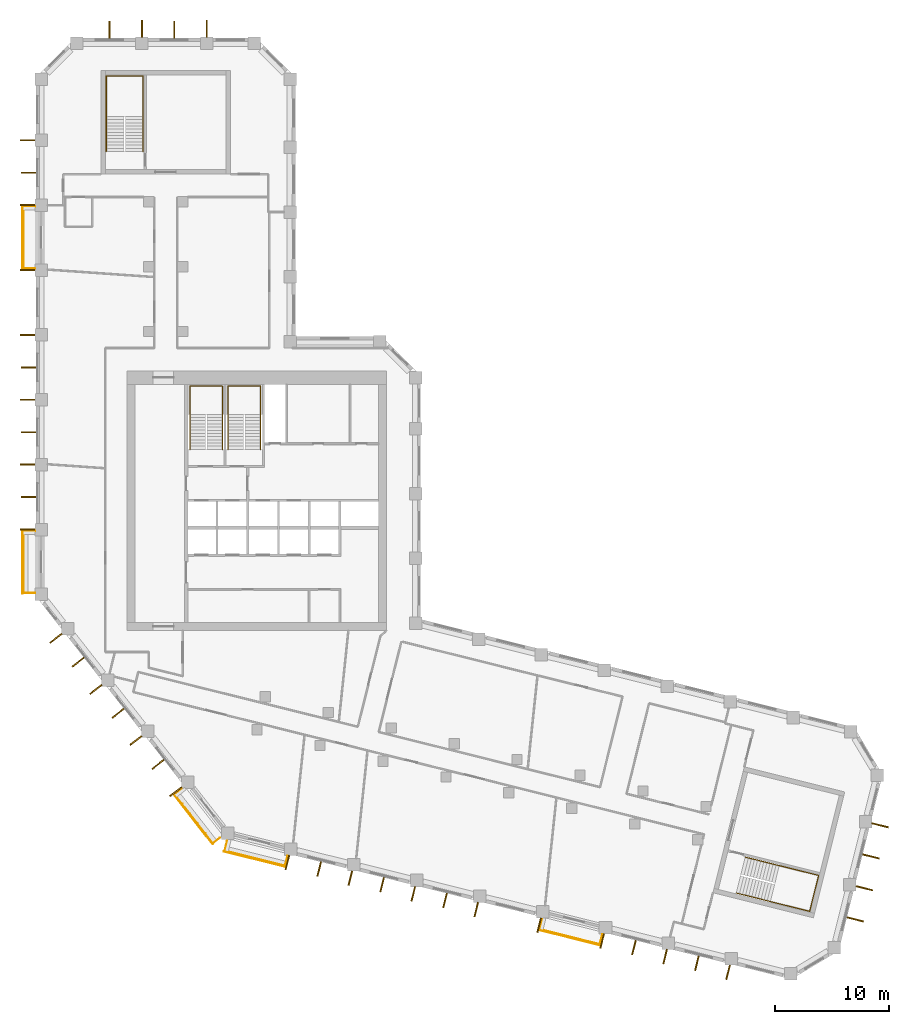
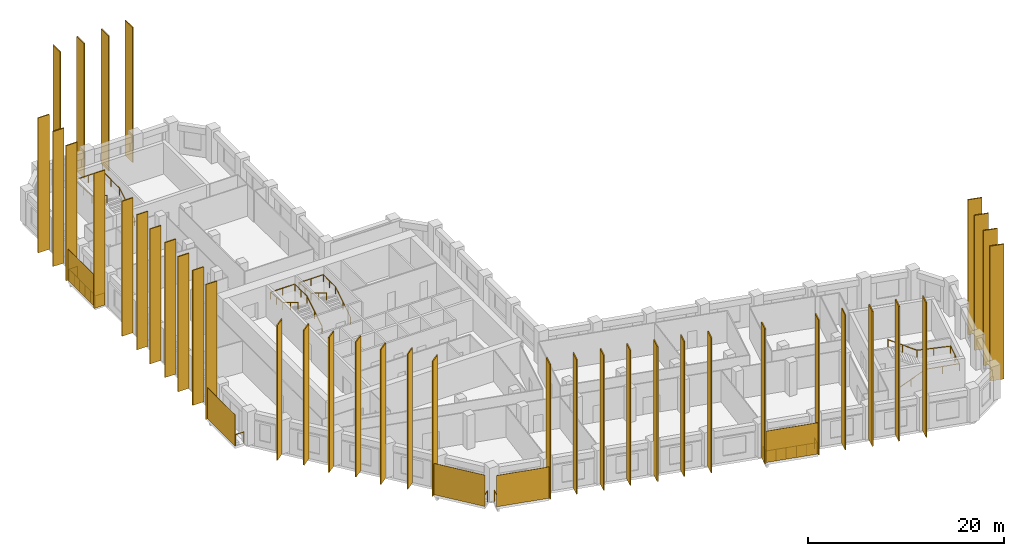
# One storey, part 10 of 10: 44 shading devices, 9 railings.
"""IFC4 building model written with IfcOpenShell, lengths in metres."""

from ifc_helpers import new_model, si_unit, direction, frame, origin, origin_2d, place, context, subcontext, project, spatial, rectangle, circle, extrude, material, layer, layer_set, type_object, element, save


model = new_model("IFC4")

# Units and contexts
model_context = context("Model", 3, precision=1e-05, world=origin(), true_north=direction((0.0, 1.0)))
body_context = subcontext(model_context, "Body", "Model", "MODEL_VIEW")
ifc_project = project(units=[si_unit("LENGTHUNIT", "METRE"), si_unit("AREAUNIT", "SQUARE_METRE"), si_unit("VOLUMEUNIT", "CUBIC_METRE"), si_unit("PLANEANGLEUNIT", "RADIAN"), si_unit("MASSUNIT", "GRAM", prefix="KILO")], contexts=[model_context])

# Site, building, storey
site_placement = place(None, origin())
site = spatial("IfcSite", under=ifc_project, at=site_placement, CompositionType="ELEMENT")
building_placement = place(site_placement, origin())
building = spatial("IfcBuilding", under=site, at=building_placement, Name="Meshkara Civic Tower", CompositionType="ELEMENT")
storey_placement = place(building_placement, frame((0.0, 0.0, 225.60009765625)))
storey = spatial("IfcBuildingStorey", under=building, at=storey_placement, Name="L51", CompositionType="ELEMENT", Elevation=225.60009765625)

# Railings
ifc_material_1 = material(Name="Steel S355", Category="steel")
railing_type_1 = type_object("IfcRailingType", Name="BALUSTRADE GUARD 1400", PredefinedType="BALUSTRADE", material=ifc_material_1)
for number, where, name in (
    (1, (-0.10009765625, 51.3349609375, 0.0), "Balcony guard"),
    (2, (-0.10009765625, 22.8349609375, 0.0), "Balcony guard"),
):
    element("IfcRailing", number, at=place(storey_placement, frame(where)), inside=storey, type_object=railing_type_1, Name=name, PredefinedType="BALUSTRADE", context=body_context, shape_type="SweptSolid", body=[
        extrude(circle(Radius=0.02392578125, at=origin_2d()), frame((0.0, 0.0, 1.3759765625), z_axis=(-1.0, 0.0, 0.0), x_axis=(0.0, -1.0, 0.0)), (0.0, 0.0, 1.0), 1.010009765625),
        extrude(circle(Radius=0.02392578125, at=origin_2d()), frame((-1.010009765625, 0.0, 1.3759765625), z_axis=(0.0, -1.0, 0.0), x_axis=(1.0, 0.0, 0.0)), (0.0, 0.0, 1.0), 5.4599609375),
        extrude(circle(Radius=0.02392578125, at=origin_2d()), frame((-1.010009765625, -5.4599609375, 1.3759765625), z_axis=(1.0, 0.0, 0.0), x_axis=(0.0, 1.0, 0.0)), (0.0, 0.0, 1.0), 1.010009765625),
        extrude(circle(Radius=0.02099609375, at=origin_2d()), origin(), (0.0, 0.0, 1.0), 1.351806640625),
        extrude(circle(Radius=0.02099609375, at=origin_2d()), frame((-1.010009765625, 0.0, 0.0)), (0.0, 0.0, 1.0), 1.351806640625),
        extrude(circle(Radius=0.02099609375, at=origin_2d()), frame((-1.010009765625, -1.092041015625, 0.0)), (0.0, 0.0, 1.0), 1.351806640625),
        extrude(circle(Radius=0.02099609375, at=origin_2d()), frame((-1.010009765625, -2.18408203125, 0.0)), (0.0, 0.0, 1.0), 1.351806640625),
        extrude(circle(Radius=0.02099609375, at=origin_2d()), frame((-1.010009765625, -3.27587890625, 0.0)), (0.0, 0.0, 1.0), 1.351806640625),
        extrude(circle(Radius=0.02099609375, at=origin_2d()), frame((-1.010009765625, -4.367919921875, 0.0)), (0.0, 0.0, 1.0), 1.351806640625),
        extrude(circle(Radius=0.02099609375, at=origin_2d()), frame((-1.010009765625, -5.4599609375, 0.0)), (0.0, 0.0, 1.0), 1.351806640625),
        extrude(circle(Radius=0.02099609375, at=origin_2d()), frame((0.0, -5.4599609375, 0.0)), (0.0, 0.0, 1.0), 1.351806640625),
    ])
railing_1_placement = place(storey_placement, frame((12.806884765625, 0.18408203125, 0.0)))
element("IfcRailing", 3, at=railing_1_placement, inside=storey, type_object=railing_type_1, Name="Balcony guard", PredefinedType="BALUSTRADE", context=body_context, shape_type="SweptSolid", body=[
    extrude(circle(Radius=0.02392578125, at=origin_2d()), frame((0.0, 0.0, 1.3759765625), z_axis=(-0.787982092171, -0.615698158531, 0.0), x_axis=(0.615698158531, -0.787982092171, 0.0)), (0.0, 0.0, 1.0), 0.787841796875),
    extrude(circle(Radius=0.02392578125, at=origin_2d()), frame((-0.620849609375, -0.485107421875, 1.3759765625), z_axis=(0.615684818606, -0.787992515281, 0.0), x_axis=(0.787992515281, 0.615684818606, 0.0)), (0.0, 0.0, 1.0), 5.460693359375),
    extrude(circle(Radius=0.02392578125, at=origin_2d()), frame((2.7412109375, -4.7880859375, 1.3759765625), z_axis=(0.787982092171, 0.615698158531, 0.0), x_axis=(-0.615698158531, 0.787982092171, 0.0)), (0.0, 0.0, 1.0), 0.787841796875),
    extrude(circle(Radius=0.02099609375, at=origin_2d()), origin(), (0.0, 0.0, 1.0), 1.351806640625),
    extrude(circle(Radius=0.02099609375, at=origin_2d()), frame((-0.620849609375, -0.485107421875, 0.0)), (0.0, 0.0, 1.0), 1.351806640625),
    extrude(circle(Radius=0.02099609375, at=origin_2d()), frame((0.051513671875, -1.345703125, 0.0)), (0.0, 0.0, 1.0), 1.351806640625),
    extrude(circle(Radius=0.02099609375, at=origin_2d()), frame((0.723876953125, -2.206298828125, 0.0)), (0.0, 0.0, 1.0), 1.351806640625),
    extrude(circle(Radius=0.02099609375, at=origin_2d()), frame((1.396484375, -3.06689453125, 0.0)), (0.0, 0.0, 1.0), 1.351806640625),
    extrude(circle(Radius=0.02099609375, at=origin_2d()), frame((2.06884765625, -3.927490234375, 0.0)), (0.0, 0.0, 1.0), 1.351806640625),
    extrude(circle(Radius=0.02099609375, at=origin_2d()), frame((2.7412109375, -4.7880859375, 0.0)), (0.0, 0.0, 1.0), 1.351806640625),
    extrude(circle(Radius=0.02099609375, at=origin_2d()), frame((3.362060546875, -4.302978515625, 0.0)), (0.0, 0.0, 1.0), 1.351806640625),
])
railing_2_placement = place(storey_placement, frame((16.805908203125, -4.4140625, 0.0)))
element("IfcRailing", 4, at=railing_2_placement, inside=storey, type_object=railing_type_1, Name="Balcony guard", PredefinedType="BALUSTRADE", context=body_context, shape_type="SweptSolid", body=[
    extrude(circle(Radius=0.02392578125, at=origin_2d()), frame((0.0, 0.0, 1.3759765625), z_axis=(-0.241571021463, -0.970383141645, 0.0), x_axis=(0.970383141645, -0.241571021463, 0.0)), (0.0, 0.0, 1.0), 0.893310546875),
    extrude(circle(Radius=0.02392578125, at=origin_2d()), frame((-0.2158203125, -0.866943359375, 1.3759765625), z_axis=(0.9703315887, -0.241778013829, 0.0), x_axis=(0.241778013829, 0.9703315887, 0.0)), (0.0, 0.0, 1.0), 5.459716796875),
    extrude(circle(Radius=0.02392578125, at=origin_2d()), frame((5.08203125, -2.18701171875, 1.3759765625), z_axis=(0.242085058395, 0.97025503065, 0.0), x_axis=(-0.97025503065, 0.242085058395, 0.0)), (0.0, 0.0, 1.0), 0.892578125),
    extrude(circle(Radius=0.02099609375, at=origin_2d()), origin(), (0.0, 0.0, 1.0), 1.351806640625),
    extrude(circle(Radius=0.02099609375, at=origin_2d()), frame((-0.2158203125, -0.866943359375, 0.0)), (0.0, 0.0, 1.0), 1.351806640625),
    extrude(circle(Radius=0.02099609375, at=origin_2d()), frame((0.84375, -1.130859375, 0.0)), (0.0, 0.0, 1.0), 1.351806640625),
    extrude(circle(Radius=0.02099609375, at=origin_2d()), frame((1.9033203125, -1.39501953125, 0.0)), (0.0, 0.0, 1.0), 1.351806640625),
    extrude(circle(Radius=0.02099609375, at=origin_2d()), frame((2.962890625, -1.658935546875, 0.0)), (0.0, 0.0, 1.0), 1.351806640625),
    extrude(circle(Radius=0.02099609375, at=origin_2d()), frame((4.0224609375, -1.923095703125, 0.0)), (0.0, 0.0, 1.0), 1.351806640625),
    extrude(circle(Radius=0.02099609375, at=origin_2d()), frame((5.08203125, -2.18701171875, 0.0)), (0.0, 0.0, 1.0), 1.351806640625),
    extrude(circle(Radius=0.02099609375, at=origin_2d()), frame((5.298095703125, -1.321044921875, 0.0)), (0.0, 0.0, 1.0), 1.351806640625),
])
railing_3_placement = place(storey_placement, frame((44.4599609375, -11.30810546875, 0.0)))
element("IfcRailing", 5, at=railing_3_placement, inside=storey, type_object=railing_type_1, Name="Balcony guard", PredefinedType="BALUSTRADE", context=body_context, shape_type="SweptSolid", body=[
    extrude(circle(Radius=0.02392578125, at=origin_2d()), frame((0.0, 0.0, 1.3759765625), z_axis=(-0.241828319243, -0.97031905269, 0.0), x_axis=(0.97031905269, -0.241828319243, 0.0)), (0.0, 0.0, 1.0), 0.8935546875),
    extrude(circle(Radius=0.02392578125, at=origin_2d()), frame((-0.216064453125, -0.866943359375, 1.3759765625), z_axis=(0.970281759871, -0.241977904902, 0.0), x_axis=(0.241977904902, 0.970281759871, 0.0)), (0.0, 0.0, 1.0), 5.45947265625),
    extrude(circle(Radius=0.02392578125, at=origin_2d()), frame((5.0810546875, -2.18798828125, 1.3759765625), z_axis=(0.241764216879, 0.970335026389, 0.0), x_axis=(-0.970335026389, 0.241764216879, 0.0)), (0.0, 0.0, 1.0), 0.893798828125),
    extrude(circle(Radius=0.02099609375, at=origin_2d()), origin(), (0.0, 0.0, 1.0), 1.351806640625),
    extrude(circle(Radius=0.02099609375, at=origin_2d()), frame((-0.216064453125, -0.866943359375, 0.0)), (0.0, 0.0, 1.0), 1.351806640625),
    extrude(circle(Radius=0.02099609375, at=origin_2d()), frame((0.84326171875, -1.131103515625, 0.0)), (0.0, 0.0, 1.0), 1.351806640625),
    extrude(circle(Radius=0.02099609375, at=origin_2d()), frame((1.90283203125, -1.395263671875, 0.0)), (0.0, 0.0, 1.0), 1.351806640625),
    extrude(circle(Radius=0.02099609375, at=origin_2d()), frame((2.962158203125, -1.65966796875, 0.0)), (0.0, 0.0, 1.0), 1.351806640625),
    extrude(circle(Radius=0.02099609375, at=origin_2d()), frame((4.021728515625, -1.923828125, 0.0)), (0.0, 0.0, 1.0), 1.351806640625),
    extrude(circle(Radius=0.02099609375, at=origin_2d()), frame((5.0810546875, -2.18798828125, 0.0)), (0.0, 0.0, 1.0), 1.351806640625),
    extrude(circle(Radius=0.02099609375, at=origin_2d()), frame((5.297119140625, -1.32080078125, 0.0)), (0.0, 0.0, 1.0), 1.351806640625),
])

# Shading devices
ifc_material_2 = material(Name="Bronze anodised aluminium", Category="aluminium")
ifc_layer_1 = layer(ifc_material_2, 0.1201171875)
ifc_layer_set_1 = layer_set([ifc_layer_1], Name="BRONZE FIN 1300")
shading_device_type_1 = type_object("IfcShadingDeviceType", Name="BRONZE FIN 1300", PredefinedType="USERDEFINED", material=ifc_layer_set_1)
for number, where, z_axis, x_axis, name in (
    (6, (-0.75, 57.155029296875, 0.0), (0.0, 0.0, 1.0), (0.0, -1.0, 0.0), "Fin"),
    (7, (-0.64990234375, 54.304931640625, 0.0), (0.0, 0.0, 1.0), (0.0, -1.0, 0.0), "Fin"),
    (8, (-0.75, 51.455078125, 0.0), (0.0, 0.0, 1.0), (0.0, -1.0, 0.0), "Fin"),
    (9, (-0.75, 45.7548828125, 0.0), (0.0, 0.0, 1.0), (0.0, -1.0, 0.0), "Fin"),
    (10, (-0.75, 40.054931640625, 0.0), (0.0, 0.0, 1.0), (0.0, -1.0, 0.0), "Fin"),
    (11, (-0.64990234375, 37.205078125, 0.0), (0.0, 0.0, 1.0), (0.0, -1.0, 0.0), "Fin"),
    (12, (-0.75, 34.35498046875, 0.0), (0.0, 0.0, 1.0), (0.0, -1.0, 0.0), "Fin"),
    (13, (-0.64990234375, 31.5048828125, 0.0), (0.0, 0.0, 1.0), (0.0, -1.0, 0.0), "Fin"),
    (14, (-0.75, 28.655029296875, 0.0), (0.0, 0.0, 1.0), (0.0, -1.0, 0.0), "Fin"),
    (15, (-0.64990234375, 25.804931640625, 0.0), (0.0, 0.0, 1.0), (0.0, -1.0, 0.0), "Fin"),
    (16, (-0.75, 22.955078125, 0.0), (0.0, 0.0, 1.0), (0.0, -1.0, 0.0), "Fin"),
    (17, (1.751953125, 13.39892578125, 0.0), (0.0, 0.0, 1.0), (0.615661475326, -0.788010753607, 0.0), "Fin"),
    (18, (3.701904296875, 11.305908203125, 0.0), (0.0, 0.0, 1.0), (0.615661475326, -0.788010753607, 0.0), "Fin"),
    (19, (5.260986328125, 8.906982421875, 0.0), (0.0, 0.0, 1.0), (0.615661475326, -0.788010753607, 0.0), "Fin"),
    (20, (7.2109375, 6.81396484375, 0.0), (0.0, 0.0, 1.0), (0.615661475326, -0.788010753607, 0.0), "Fin"),
    (21, (8.77099609375, 4.4150390625, 0.0), (0.0, 0.0, 1.0), (0.615661475326, -0.788010753607, 0.0), "Fin"),
    (22, (10.720947265625, 2.322021484375, 0.0), (0.0, 0.0, 1.0), (0.615661475326, -0.788010753607, 0.0), "Fin"),
    (23, (12.280029296875, -0.075927734375, 0.0), (0.0, 0.0, 1.0), (0.615661475326, -0.788010753607, 0.0), "Fin"),
    (24, (22.087890625, -6.298095703125, 0.0), (0.0, 0.0, 1.0), (0.970299948462, -0.241904960708, 0.0), "Fin"),
    (25, (24.881103515625, -6.873046875, 0.0), (0.0, 0.0, 1.0), (0.970299948462, -0.241904960708, 0.0), "Fin"),
    (26, (27.617919921875, -7.677001953125, 0.0), (0.0, 0.0, 1.0), (0.970299948462, -0.241904960708, 0.0), "Fin"),
    (27, (30.412109375, -8.251953125, 0.0), (0.0, 0.0, 1.0), (0.970299948462, -0.241904960708, 0.0), "Fin"),
    (28, (33.14892578125, -9.055908203125, 0.0), (0.0, 0.0, 1.0), (0.970299948462, -0.241904960708, 0.0), "Fin"),
    (29, (35.94189453125, -9.631103515625, 0.0), (0.0, 0.0, 1.0), (0.970299948462, -0.241904960708, 0.0), "Fin"),
    (30, (38.679931640625, -10.43408203125, 0.0), (0.0, 0.0, 1.0), (0.970299948462, -0.241904960708, 0.0), "Fin"),
    (31, (44.2109375, -11.81298828125, 0.0), (0.0, 0.0, 1.0), (0.970299948462, -0.241904960708, 0.0), "Fin"),
    (32, (49.740966796875, -13.19189453125, 0.0), (0.0, 0.0, 1.0), (0.970299948462, -0.241904960708, 0.0), "Fin"),
    (33, (52.533935546875, -13.76806640625, 0.0), (0.0, 0.0, 1.0), (0.970299948462, -0.241904960708, 0.0), "Fin"),
    (34, (55.27197265625, -14.571044921875, 0.0), (0.0, 0.0, 1.0), (0.970299948462, -0.241904960708, 0.0), "Fin"),
    (35, (58.06494140625, -15.14697265625, 0.0), (0.0, 0.0, 1.0), (0.970299948462, -0.241904960708, 0.0), "Fin"),
    (36, (60.802978515625, -15.949951171875, 0.0), (0.0, 0.0, 1.0), (0.970299948462, -0.241904960708, 0.0), "Fin"),
):
    element("IfcShadingDevice", number, at=place(storey_placement, frame(where, z_axis=z_axis, x_axis=x_axis)), inside=storey, type_object=shading_device_type_1, Name=name, ObjectType="FIN", PredefinedType="USERDEFINED", context=body_context, shape_type="SweptSolid", body=[
        extrude(rectangle(XDim=0.1201171875, YDim=1.300048828125, at=origin_2d()), origin(), (0.0, 0.0, 1.0), 16.800048828125),
    ])
ifc_material_3 = material(Name="Bronze anodised aluminium", Category="aluminium")
ifc_layer_2 = layer(ifc_material_3, 0.1201171875)
ifc_layer_set_2 = layer_set([ifc_layer_2], Name="BRONZE FIN 1500")
shading_device_type_2 = type_object("IfcShadingDeviceType", Name="BRONZE FIN 1500", PredefinedType="USERDEFINED", material=ifc_layer_set_2)
for number, where, z_axis, x_axis, name in (
    (37, (15.006103515625, 66.969970703125, 0.0), (0.0, 0.0, 1.0), (-1.0, 0.0, 0.0), "Fin"),
    (38, (12.156005859375, 66.8701171875, 0.0), (0.0, 0.0, 1.0), (-1.0, 0.0, 0.0), "Fin"),
    (39, (9.305908203125, 66.969970703125, 0.0), (0.0, 0.0, 1.0), (-1.0, 0.0, 0.0), "Fin"),
    (40, (6.4560546875, 66.8701171875, 0.0), (0.0, 0.0, 1.0), (-1.0, 0.0, 0.0), "Fin"),
    (41, (71.97607421875, -11.291015625, 0.0), (0.0, 0.0, 1.0), (0.2419218956, 0.970295726276, 0.0), "Fin"),
    (42, (72.779052734375, -8.553955078125, 0.0), (0.0, 0.0, 1.0), (0.2419218956, 0.970295726276, 0.0), "Fin"),
    (43, (73.35498046875, -5.760009765625, 0.0), (0.0, 0.0, 1.0), (0.2419218956, 0.970295726276, 0.0), "Fin"),
    (44, (74.157958984375, -3.02392578125, 0.0), (0.0, 0.0, 1.0), (0.2419218956, 0.970295726276, 0.0), "Fin"),
):
    element("IfcShadingDevice", number, at=place(storey_placement, frame(where, z_axis=z_axis, x_axis=x_axis)), inside=storey, type_object=shading_device_type_2, Name=name, ObjectType="FIN", PredefinedType="USERDEFINED", context=body_context, shape_type="SweptSolid", body=[
        extrude(rectangle(XDim=0.1201171875, YDim=1.5, at=origin_2d()), origin(), (0.0, 0.0, 1.0), 16.800048828125),
    ])
ifc_material_4 = material(Name="Perforated bronze anodised aluminium sheet", Category="aluminium")
ifc_layer_3 = layer(ifc_material_4, 0.0400390625)
ifc_layer_set_3 = layer_set([ifc_layer_3], Name="PERFORATED BRONZE SCREEN")
shading_device_type_3 = type_object("IfcShadingDeviceType", Name="PERFORATED BRONZE SCREEN", PredefinedType="USERDEFINED", material=ifc_layer_set_3)
for number, where, z_axis, x_axis, name in (
    (45, (-1.179931640625, 48.60498046875, 0.0), (0.0, 0.0, 1.0), (0.0, -1.0, 0.0), "Balcony screen"),
    (46, (-1.179931640625, 20.10498046875, 0.0), (0.0, 0.0, 1.0), (0.0, -1.0, 0.0), "Balcony screen"),
    (47, (13.81201171875, -2.4951171875, 0.0), (0.0, 0.0, 1.0), (0.615661475326, -0.788010753607, 0.0), "Balcony screen"),
    (48, (19.221923828125, -6.009033203125, 0.0), (0.0, 0.0, 1.0), (0.970299948462, -0.241904960708, 0.0), "Balcony screen"),
):
    element("IfcShadingDevice", number, at=place(storey_placement, frame(where, z_axis=z_axis, x_axis=x_axis)), inside=storey, type_object=shading_device_type_3, Name=name, ObjectType="SCREEN", PredefinedType="USERDEFINED", context=body_context, shape_type="SweptSolid", body=[
        extrude(rectangle(XDim=5.580078125, YDim=0.0400390625, at=origin_2d()), origin(), (0.0, 0.0, 1.0), 3.89990234375),
    ])
shading_device_placement = place(storey_placement, frame((46.8759765625, -12.903076171875, 0.0), z_axis=(0.0, 0.0, 1.0), x_axis=(0.970299948462, -0.241904960708, 0.0)))
element("IfcShadingDevice", 49, at=shading_device_placement, inside=storey, type_object=shading_device_type_3, Name="Balcony screen", ObjectType="SCREEN", PredefinedType="USERDEFINED", context=body_context, shape_type="SweptSolid", body=[
    extrude(rectangle(XDim=5.5791015625, YDim=0.0400390625, at=origin_2d()), origin(), (0.0, 0.0, 1.0), 3.89990234375),
])

# Railings
ifc_material_5 = material(Name="Steel handrail", Category="steel")
railing_type_2 = type_object("IfcRailingType", Name="Stair handrail 900", PredefinedType="HANDRAIL", material=ifc_material_5)
railing_4_placement = place(storey_placement, frame((16.375, 30.0, 0.1748046875)))
element("IfcRailing", 50, at=railing_4_placement, inside=storey, type_object=railing_type_2, Name="L51 ST1 stair handrail 1", PredefinedType="HANDRAIL", context=body_context, shape_type="SweptSolid", body=[
    extrude(circle(Radius=0.02392578125, at=origin_2d()), frame((0.0, 0.0, 0.8759765625), z_axis=(0.0, 0.847998304005, 0.529998940003), x_axis=(-1.0, 0.0, 0.0)), (0.0, 0.0, 1.0), 3.632080078125),
    extrude(circle(Radius=0.02392578125, at=origin_2d()), frame((0.0, 3.080078125, 2.80078125), z_axis=(0.0, 1.0, 0.0), x_axis=(-1.0, 0.0, 0.0)), (0.0, 0.0, 1.0), 2.469970703125),
    extrude(circle(Radius=0.02392578125, at=origin_2d()), frame((0.0, 5.550048828125, 2.80078125), z_axis=(-1.0, 0.0, 0.0), x_axis=(0.0, -1.0, 0.0)), (0.0, 0.0, 1.0), 2.85009765625),
    extrude(circle(Radius=0.02392578125, at=origin_2d()), frame((-2.85009765625, 5.550048828125, 2.80078125), z_axis=(0.0, -0.997498084828, 0.070693498747), x_axis=(1.0, 0.0, 0.0)), (0.0, 0.0, 1.0), 2.47607421875),
    extrude(circle(Radius=0.02392578125, at=origin_2d()), frame((-2.85009765625, 3.080078125, 2.97607421875), z_axis=(0.0, -0.847998304005, 0.529998940003), x_axis=(1.0, 0.0, 0.0)), (0.0, 0.0, 1.0), 3.632080078125),
    extrude(circle(Radius=0.02099609375, at=origin_2d()), origin(), (0.0, 0.0, 1.0), 0.851806640625),
    extrude(circle(Radius=0.02099609375, at=origin_2d()), frame((0.0, 1.5400390625, 0.96240234375)), (0.0, 0.0, 1.0), 0.851806640625),
    extrude(circle(Radius=0.02099609375, at=origin_2d()), frame((0.0, 3.080078125, 1.925048828125)), (0.0, 0.0, 1.0), 0.851806640625),
    extrude(circle(Radius=0.02099609375, at=origin_2d()), frame((0.0, 4.31494140625, 1.925048828125)), (0.0, 0.0, 1.0), 0.851806640625),
    extrude(circle(Radius=0.02099609375, at=origin_2d()), frame((0.0, 5.550048828125, 1.925048828125)), (0.0, 0.0, 1.0), 0.851806640625),
    extrude(circle(Radius=0.02099609375, at=origin_2d()), frame((-1.425048828125, 5.550048828125, 1.925048828125)), (0.0, 0.0, 1.0), 0.851806640625),
    extrude(circle(Radius=0.02099609375, at=origin_2d()), frame((-2.85009765625, 5.550048828125, 1.925048828125)), (0.0, 0.0, 1.0), 0.851806640625),
    extrude(circle(Radius=0.02099609375, at=origin_2d()), frame((-2.85009765625, 4.31494140625, 2.0126953125)), (0.0, 0.0, 1.0), 0.851806640625),
    extrude(circle(Radius=0.02099609375, at=origin_2d()), frame((-2.85009765625, 3.080078125, 2.10009765625)), (0.0, 0.0, 1.0), 0.851806640625),
    extrude(circle(Radius=0.02099609375, at=origin_2d()), frame((-2.85009765625, 1.5400390625, 3.0625)), (0.0, 0.0, 1.0), 0.851806640625),
    extrude(circle(Radius=0.02099609375, at=origin_2d()), frame((-2.85009765625, 0.0, 4.025146484375)), (0.0, 0.0, 1.0), 0.851806640625),
])
railing_5_placement = place(storey_placement, frame((19.72509765625, 30.0, 0.1748046875)))
element("IfcRailing", 51, at=railing_5_placement, inside=storey, type_object=railing_type_2, Name="L51 ST2 stair handrail 1", PredefinedType="HANDRAIL", context=body_context, shape_type="SweptSolid", body=[
    extrude(circle(Radius=0.02392578125, at=origin_2d()), frame((0.0, 0.0, 0.8759765625), z_axis=(0.0, 0.847998304005, 0.529998940003), x_axis=(-1.0, 0.0, 0.0)), (0.0, 0.0, 1.0), 3.632080078125),
    extrude(circle(Radius=0.02392578125, at=origin_2d()), frame((0.0, 3.080078125, 2.80078125), z_axis=(0.0, 1.0, 0.0), x_axis=(-1.0, 0.0, 0.0)), (0.0, 0.0, 1.0), 2.469970703125),
    extrude(circle(Radius=0.02392578125, at=origin_2d()), frame((0.0, 5.550048828125, 2.80078125), z_axis=(-1.0, 0.0, 0.0), x_axis=(0.0, -1.0, 0.0)), (0.0, 0.0, 1.0), 2.85009765625),
    extrude(circle(Radius=0.02392578125, at=origin_2d()), frame((-2.85009765625, 5.550048828125, 2.80078125), z_axis=(0.0, -0.997498084828, 0.070693498747), x_axis=(1.0, 0.0, 0.0)), (0.0, 0.0, 1.0), 2.47607421875),
    extrude(circle(Radius=0.02392578125, at=origin_2d()), frame((-2.85009765625, 3.080078125, 2.97607421875), z_axis=(0.0, -0.847998304005, 0.529998940003), x_axis=(1.0, 0.0, 0.0)), (0.0, 0.0, 1.0), 3.632080078125),
    extrude(circle(Radius=0.02099609375, at=origin_2d()), origin(), (0.0, 0.0, 1.0), 0.851806640625),
    extrude(circle(Radius=0.02099609375, at=origin_2d()), frame((0.0, 1.5400390625, 0.96240234375)), (0.0, 0.0, 1.0), 0.851806640625),
    extrude(circle(Radius=0.02099609375, at=origin_2d()), frame((0.0, 3.080078125, 1.925048828125)), (0.0, 0.0, 1.0), 0.851806640625),
    extrude(circle(Radius=0.02099609375, at=origin_2d()), frame((0.0, 4.31494140625, 1.925048828125)), (0.0, 0.0, 1.0), 0.851806640625),
    extrude(circle(Radius=0.02099609375, at=origin_2d()), frame((0.0, 5.550048828125, 1.925048828125)), (0.0, 0.0, 1.0), 0.851806640625),
    extrude(circle(Radius=0.02099609375, at=origin_2d()), frame((-1.425048828125, 5.550048828125, 1.925048828125)), (0.0, 0.0, 1.0), 0.851806640625),
    extrude(circle(Radius=0.02099609375, at=origin_2d()), frame((-2.85009765625, 5.550048828125, 1.925048828125)), (0.0, 0.0, 1.0), 0.851806640625),
    extrude(circle(Radius=0.02099609375, at=origin_2d()), frame((-2.85009765625, 4.31494140625, 2.0126953125)), (0.0, 0.0, 1.0), 0.851806640625),
    extrude(circle(Radius=0.02099609375, at=origin_2d()), frame((-2.85009765625, 3.080078125, 2.10009765625)), (0.0, 0.0, 1.0), 0.851806640625),
    extrude(circle(Radius=0.02099609375, at=origin_2d()), frame((-2.85009765625, 1.5400390625, 3.0625)), (0.0, 0.0, 1.0), 0.851806640625),
    extrude(circle(Radius=0.02099609375, at=origin_2d()), frame((-2.85009765625, 0.0, 4.025146484375)), (0.0, 0.0, 1.0), 0.851806640625),
])
railing_6_placement = place(storey_placement, frame((9.425048828125, 56.169921875, 0.1748046875)))
element("IfcRailing", 52, at=railing_6_placement, inside=storey, type_object=railing_type_2, Name="L51 ESA4 stair handrail 1", PredefinedType="HANDRAIL", context=body_context, shape_type="SweptSolid", body=[
    extrude(circle(Radius=0.02392578125, at=origin_2d()), frame((0.0, 0.0, 0.8759765625), z_axis=(0.0, 0.847998304005, 0.529998940003), x_axis=(-1.0, 0.0, 0.0)), (0.0, 0.0, 1.0), 3.632080078125),
    extrude(circle(Radius=0.02392578125, at=origin_2d()), frame((0.0, 3.080078125, 2.80078125), z_axis=(0.0, 1.0, 0.0), x_axis=(-1.0, 0.0, 0.0)), (0.0, 0.0, 1.0), 3.570068359375),
    extrude(circle(Radius=0.02392578125, at=origin_2d()), frame((0.0, 6.650146484375, 2.80078125), z_axis=(-1.0, 0.0, 0.0), x_axis=(0.0, -1.0, 0.0)), (0.0, 0.0, 1.0), 3.25),
    extrude(circle(Radius=0.02392578125, at=origin_2d()), frame((-3.25, 6.650146484375, 2.80078125), z_axis=(0.0, -0.998800077689, 0.048973511297), x_axis=(1.0, 0.0, 0.0)), (0.0, 0.0, 1.0), 3.574462890625),
    extrude(circle(Radius=0.02392578125, at=origin_2d()), frame((-3.25, 3.080078125, 2.97607421875), z_axis=(0.0, -0.847998304005, 0.529998940003), x_axis=(1.0, 0.0, 0.0)), (0.0, 0.0, 1.0), 3.632080078125),
    extrude(circle(Radius=0.02099609375, at=origin_2d()), origin(), (0.0, 0.0, 1.0), 0.851806640625),
    extrude(circle(Radius=0.02099609375, at=origin_2d()), frame((0.0, 1.5400390625, 0.96240234375)), (0.0, 0.0, 1.0), 0.851806640625),
    extrude(circle(Radius=0.02099609375, at=origin_2d()), frame((0.0, 3.080078125, 1.925048828125)), (0.0, 0.0, 1.0), 0.851806640625),
    extrude(circle(Radius=0.02099609375, at=origin_2d()), frame((0.0, 4.865234375, 1.925048828125)), (0.0, 0.0, 1.0), 0.851806640625),
    extrude(circle(Radius=0.02099609375, at=origin_2d()), frame((0.0, 6.650146484375, 1.925048828125)), (0.0, 0.0, 1.0), 0.851806640625),
    extrude(circle(Radius=0.02099609375, at=origin_2d()), frame((-1.625, 6.650146484375, 1.925048828125)), (0.0, 0.0, 1.0), 0.851806640625),
    extrude(circle(Radius=0.02099609375, at=origin_2d()), frame((-3.25, 6.650146484375, 1.925048828125)), (0.0, 0.0, 1.0), 0.851806640625),
    extrude(circle(Radius=0.02099609375, at=origin_2d()), frame((-3.25, 4.865234375, 2.0126953125)), (0.0, 0.0, 1.0), 0.851806640625),
    extrude(circle(Radius=0.02099609375, at=origin_2d()), frame((-3.25, 3.080078125, 2.10009765625)), (0.0, 0.0, 1.0), 0.851806640625),
    extrude(circle(Radius=0.02099609375, at=origin_2d()), frame((-3.25, 1.5400390625, 3.0625)), (0.0, 0.0, 1.0), 0.851806640625),
    extrude(circle(Radius=0.02099609375, at=origin_2d()), frame((-3.25, 0.0, 4.025146484375)), (0.0, 0.0, 1.0), 0.851806640625),
])
railing_7_placement = place(storey_placement, frame((61.526123046875, -8.97607421875, 0.1748046875)))
element("IfcRailing", 53, at=railing_7_placement, inside=storey, type_object=railing_type_2, Name="L51 ESB4 stair handrail 1", PredefinedType="HANDRAIL", context=body_context, shape_type="SweptSolid", body=[
    extrude(circle(Radius=0.02392578125, at=origin_2d()), frame((0.0, 0.0, 0.8759765625), z_axis=(0.822771605551, -0.205222362071, 0.530028930537), x_axis=(0.242013336109, 0.97027292302, 0.0)), (0.0, 0.0, 1.0), 3.632080078125),
    extrude(circle(Radius=0.02392578125, at=origin_2d()), frame((2.98828125, -0.745361328125, 2.80078125), z_axis=(0.97025503065, -0.242085058395, 0.0), x_axis=(0.242085058395, 0.97025503065, 0.0)), (0.0, 0.0, 1.0), 3.570068359375),
    extrude(circle(Radius=0.02392578125, at=origin_2d()), frame((6.4521484375, -1.609619140625, 2.80078125), z_axis=(0.242040676986, 0.970266103027, 0.0), x_axis=(-0.970266103027, 0.242040676986, 0.0)), (0.0, 0.0, 1.0), 3.25),
    extrude(circle(Radius=0.02392578125, at=origin_2d()), frame((7.23876953125, 1.543701171875, 2.80078125), z_axis=(-0.969086635977, 0.241810579499, 0.04897688856), x_axis=(-0.24210112213, -0.970251022501, 0.0)), (0.0, 0.0, 1.0), 3.57421875),
    extrude(circle(Radius=0.02392578125, at=origin_2d()), frame((3.775146484375, 2.407958984375, 2.97607421875), z_axis=(-0.822793318929, 0.205211012392, 0.529999617659), x_axis=(-0.24199472324, -0.970277565403, 0.0)), (0.0, 0.0, 1.0), 3.632080078125),
    extrude(circle(Radius=0.02099609375, at=origin_2d()), origin(), (0.0, 0.0, 1.0), 0.851806640625),
    extrude(circle(Radius=0.02099609375, at=origin_2d()), frame((1.494140625, -0.37255859375, 0.96240234375)), (0.0, 0.0, 1.0), 0.851806640625),
    extrude(circle(Radius=0.02099609375, at=origin_2d()), frame((2.98828125, -0.745361328125, 1.925048828125)), (0.0, 0.0, 1.0), 0.851806640625),
    extrude(circle(Radius=0.02099609375, at=origin_2d()), frame((4.72021484375, -1.177490234375, 1.925048828125)), (0.0, 0.0, 1.0), 0.851806640625),
    extrude(circle(Radius=0.02099609375, at=origin_2d()), frame((6.4521484375, -1.609619140625, 1.925048828125)), (0.0, 0.0, 1.0), 0.851806640625),
    extrude(circle(Radius=0.02099609375, at=origin_2d()), frame((6.845458984375, -0.032958984375, 1.925048828125)), (0.0, 0.0, 1.0), 0.851806640625),
    extrude(circle(Radius=0.02099609375, at=origin_2d()), frame((7.23876953125, 1.543701171875, 1.925048828125)), (0.0, 0.0, 1.0), 0.851806640625),
    extrude(circle(Radius=0.02099609375, at=origin_2d()), frame((5.5068359375, 1.975830078125, 2.0126953125)), (0.0, 0.0, 1.0), 0.851806640625),
    extrude(circle(Radius=0.02099609375, at=origin_2d()), frame((3.775146484375, 2.407958984375, 2.10009765625)), (0.0, 0.0, 1.0), 0.851806640625),
    extrude(circle(Radius=0.02099609375, at=origin_2d()), frame((2.28076171875, 2.78076171875, 3.0625)), (0.0, 0.0, 1.0), 0.851806640625),
    extrude(circle(Radius=0.02099609375, at=origin_2d()), frame((0.78662109375, 3.1533203125, 4.025146484375)), (0.0, 0.0, 1.0), 0.851806640625),
])

save(model, "model.ifc")
